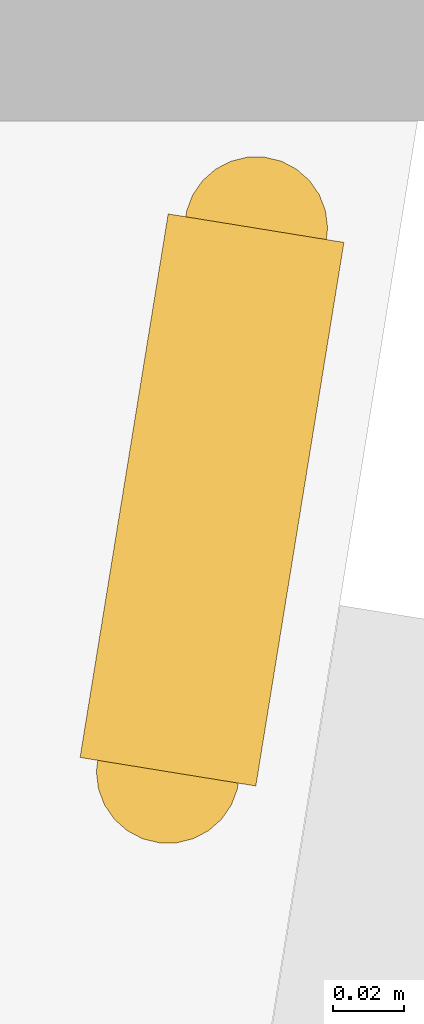
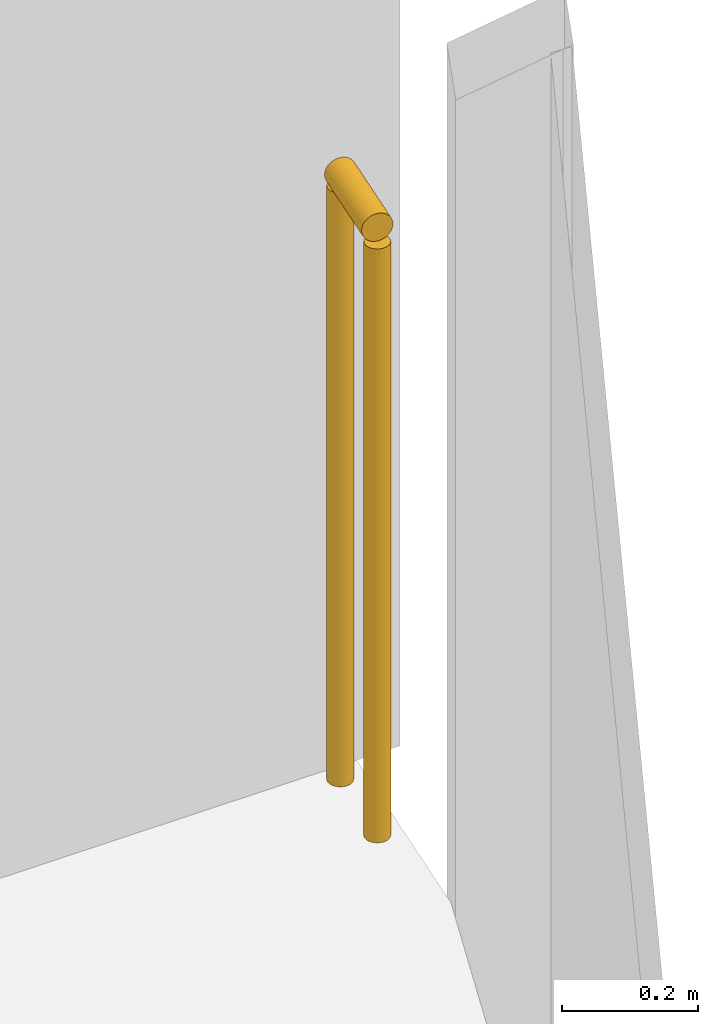
# One storey, part 33 of 34: 1 railing.
"""IFC4 building model written with IfcOpenShell, lengths in metres."""

from ifc_helpers import new_model, si_unit, direction, frame, origin, origin_2d, place, context, subcontext, project, spatial, circle, extrude, material, type_object, element, save


model = new_model("IFC4")

# Units and contexts
model_context = context("Model", 3, precision=1e-05, world=origin(), true_north=direction((0.0, 1.0)))
body_context = subcontext(model_context, "Body", "Model", "MODEL_VIEW")
ifc_project = project(units=[si_unit("LENGTHUNIT", "METRE"), si_unit("AREAUNIT", "SQUARE_METRE"), si_unit("VOLUMEUNIT", "CUBIC_METRE"), si_unit("PLANEANGLEUNIT", "RADIAN"), si_unit("MASSUNIT", "GRAM", prefix="KILO")], contexts=[model_context])

# Site, building, storey
site_placement = place(None, origin())
site = spatial("IfcSite", under=ifc_project, at=site_placement, CompositionType="ELEMENT")
building_placement = place(site_placement, origin())
building = spatial("IfcBuilding", under=site, at=building_placement, Name="Orlundy Tower", CompositionType="ELEMENT")
storey_placement = place(building_placement, frame((0.0, 0.0, 127.199951171875)))
storey = spatial("IfcBuildingStorey", under=building, at=storey_placement, Name="L32", CompositionType="ELEMENT", Elevation=127.199951171875)

# Railing
ifc_material = material(Name="Stainless steel bronze finish", Category="steel")
railing_type = type_object("IfcRailingType", Name="TG1 terrace guard", PredefinedType="GUARDRAIL", material=ifc_material)
railing_placement = place(storey_placement, frame((57.083984375, -19.489013671875, 0.0)))
element("IfcRailing", 1, at=railing_placement, inside=storey, type_object=railing_type, Name="Guard TG-L32-E01", PredefinedType="GUARDRAIL", context=body_context, shape_type="SweptSolid", body=[
    extrude(circle(Radius=0.02490234375, at=origin_2d()), frame((0.0, 0.0, 1.09521484375), z_axis=(-0.160029432686, -0.987112243199, 0.0), x_axis=(0.987112243199, -0.160029432686, 0.0)), (0.0, 0.0, 1.0), 0.154052734375),
    extrude(circle(Radius=0.02001953125, at=origin_2d()), origin(), (0.0, 0.0, 1.0), 1.070068359375),
    extrude(circle(Radius=0.02001953125, at=origin_2d()), frame((-0.024658203125, -0.152099609375, 0.0)), (0.0, 0.0, 1.0), 1.070068359375),
])

save(model, "model.ifc")
